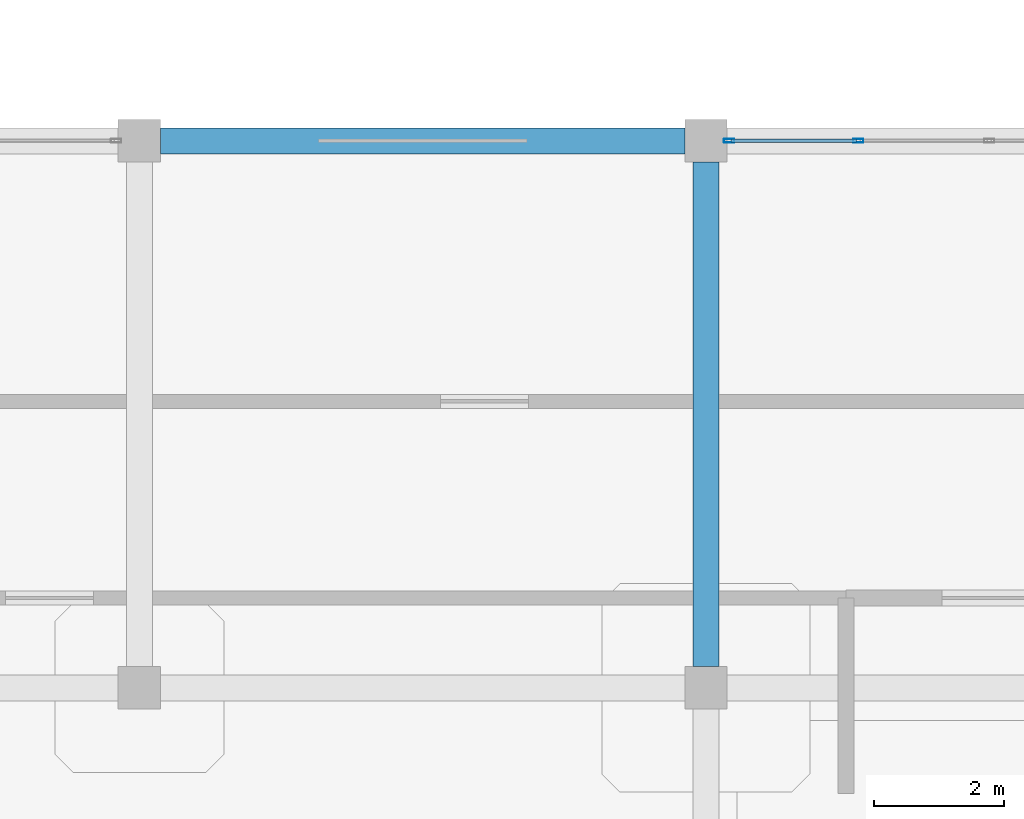
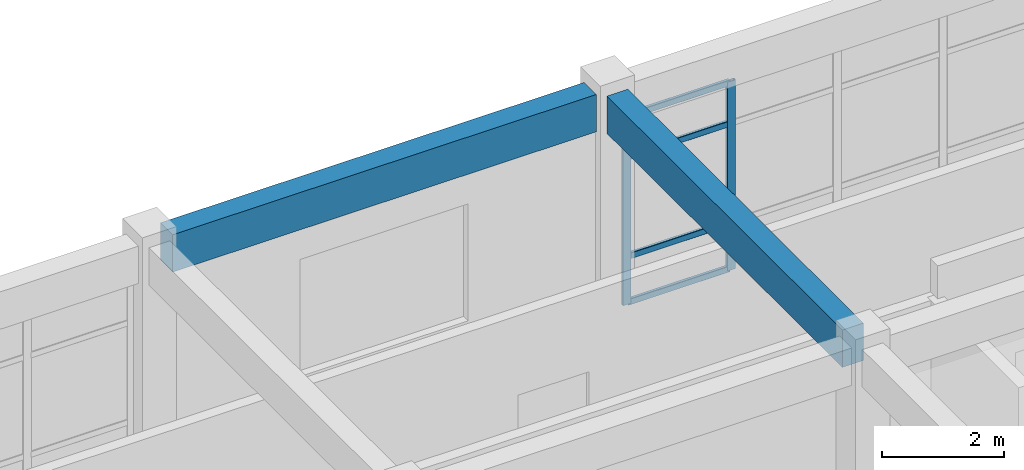
# One storey, part 10 of 41: 6 members, 2 beams, 1 element without a shape of its own.
"""IFC4 building model written with IfcOpenShell, lengths in metres."""

from ifc_helpers import new_model, si_unit, derived_unit, direction, frame, origin, origin_2d, place, context, subcontext, project, spatial, rectangle, hollow_rectangle, extrude, material, layer, layer_set, material_profile, profile_set, type_object, element, aggregate, save


model = new_model("IFC4")

# Units and contexts
model_context = context("Model", 3, precision=1e-05, world=origin(), true_north=direction((0.0, 1.0)))
body_context = subcontext(model_context, "Body", "Model", "MODEL_VIEW")
ifc_project = project(units=[si_unit("LENGTHUNIT", "METRE"), si_unit("AREAUNIT", "SQUARE_METRE"), si_unit("VOLUMEUNIT", "CUBIC_METRE"), si_unit("PLANEANGLEUNIT", "RADIAN"), si_unit("MASSUNIT", "GRAM", prefix="KILO"), derived_unit("THERMALTRANSMITTANCEUNIT", [(si_unit("MASSUNIT", "GRAM", prefix="KILO"), 1), (si_unit("TIMEUNIT", "SECOND"), -3), (si_unit("THERMODYNAMICTEMPERATUREUNIT", "KELVIN"), -1)])], contexts=[model_context])

# Site, building, storey
site_placement = place(None, origin())
site = spatial("IfcSite", under=ifc_project, at=site_placement, CompositionType="ELEMENT")
building_placement = place(site_placement, origin())
building = spatial("IfcBuilding", under=site, at=building_placement, Name="Qinzheling Arcade Emporium", CompositionType="ELEMENT")
storey_placement = place(building_placement, frame((0.0, 0.0, 36.300048828125)))
storey = spatial("IfcBuildingStorey", under=building, at=storey_placement, Name="L08", CompositionType="ELEMENT", Elevation=36.300048828125)

# Curtain wall, members
ifc_material_1 = material(Name="Anodised aluminium and solar-control double glazing", Category="aluminium")
ifc_layer = layer(ifc_material_1, 0.159912109375, Name="Anodised aluminium and solar-control double glazing", Category="aluminium")
ifc_layer_set = layer_set([ifc_layer], Name="Anodised aluminium and solar-control double glazing")
curtain_wall_type = type_object("IfcCurtainWallType", Name="Atrium Clerestory Curtain Wall", PredefinedType="NOTDEFINED", material=ifc_layer_set)
curtain_wall_placement = place(storey_placement, origin())
curtain_wall = element("IfcCurtainWall", 1, at=curtain_wall_placement, inside=storey, type_object=curtain_wall_type, Name="Curtain Wall CW-L08-463", PredefinedType="NOTDEFINED")
ifc_material_2 = material(Name="Anodised aluminium 6063-T6", Category="aluminium")
ifc_material_profile_1 = material_profile(ifc_material_2, hollow_rectangle(XDim=0.06005859375, YDim=0.159912109375, WallThickness=0.00390625, InnerFilletRadius=0.00390625, OuterFilletRadius=0.008056640625, at=origin_2d()), Name="RHS 160x60x4", Category="aluminium")
ifc_profile_set_1 = profile_set([ifc_material_profile_1], Name="Anodised aluminium 6063-T6")
member_type_1 = type_object("IfcMemberType", Name="Curtain Wall Mullion RHS160x60", PredefinedType="MULLION", material=ifc_profile_set_1)
member_1_placement = place(storey_placement, frame((26.45703125, 42.0, 0.0), z_axis=(0.0, 0.0, 1.0), x_axis=(0.0, 1.0, 0.0)))
member_1 = element("IfcMember", 2, at=member_1_placement, type_object=member_type_1, Name="CW03 mullion 1", PredefinedType="MULLION", context=body_context, shape_type="SweptSolid", body=[
    extrude(hollow_rectangle(XDim=0.06005859375, YDim=0.159912109375, WallThickness=0.00390625, InnerFilletRadius=0.00390625, OuterFilletRadius=0.008056640625, at=origin_2d()), origin(), (0.0, 0.0, 1.0), 3.794921875),
])
member_2_placement = place(storey_placement, frame((28.4384765625, 42.0, 0.0), z_axis=(0.0, 0.0, 1.0), x_axis=(0.0, 1.0, 0.0)))
member_2 = element("IfcMember", 3, at=member_2_placement, type_object=member_type_1, Name="CW03 mullion 2", PredefinedType="MULLION", context=body_context, shape_type="SweptSolid", body=[
    extrude(hollow_rectangle(XDim=0.06005859375, YDim=0.159912109375, WallThickness=0.00390625, InnerFilletRadius=0.00390625, OuterFilletRadius=0.008056640625, at=origin_2d()), origin(), (0.0, 0.0, 1.0), 3.794921875),
])
ifc_material_profile_2 = material_profile(ifc_material_2, hollow_rectangle(XDim=0.06005859375, YDim=0.1201171875, WallThickness=0.00390625, InnerFilletRadius=0.00390625, OuterFilletRadius=0.008056640625, at=origin_2d()), Name="RHS 120x60x4", Category="aluminium")
ifc_profile_set_2 = profile_set([ifc_material_profile_2], Name="Anodised aluminium 6063-T6")
member_type_2 = type_object("IfcMemberType", Name="Curtain Wall Transom RHS120x60", PredefinedType="USERDEFINED", material=ifc_profile_set_2)
member_3_placement = place(storey_placement, frame((26.487060546875, 42.0, 0.030029296875), z_axis=(1.0, 0.0, 0.0), x_axis=(0.0, 1.0, 0.0)))
member_3 = element("IfcMember", 4, at=member_3_placement, type_object=member_type_2, Name="CW03 transom 1.1", ObjectType="TRANSOM", PredefinedType="USERDEFINED", context=body_context, shape_type="SweptSolid", body=[
    extrude(hollow_rectangle(XDim=0.06005859375, YDim=0.1201171875, WallThickness=0.00390625, InnerFilletRadius=0.00390625, OuterFilletRadius=0.008056640625, at=origin_2d()), origin(), (0.0, 0.0, 1.0), 1.92138671875),
])
member_4_placement = place(storey_placement, frame((26.487060546875, 42.0, 0.949951171875), z_axis=(1.0, 0.0, 0.0), x_axis=(0.0, 1.0, 0.0)))
member_4 = element("IfcMember", 5, at=member_4_placement, type_object=member_type_2, Name="CW03 transom 1.2", ObjectType="TRANSOM", PredefinedType="USERDEFINED", context=body_context, shape_type="SweptSolid", body=[
    extrude(hollow_rectangle(XDim=0.06005859375, YDim=0.1201171875, WallThickness=0.00390625, InnerFilletRadius=0.00390625, OuterFilletRadius=0.008056640625, at=origin_2d()), origin(), (0.0, 0.0, 1.0), 1.92138671875),
])
member_5_placement = place(storey_placement, frame((26.487060546875, 42.0, 2.945068359375), z_axis=(1.0, 0.0, 0.0), x_axis=(0.0, 1.0, 0.0)))
member_5 = element("IfcMember", 6, at=member_5_placement, type_object=member_type_2, Name="CW03 transom 1.3", ObjectType="TRANSOM", PredefinedType="USERDEFINED", context=body_context, shape_type="SweptSolid", body=[
    extrude(hollow_rectangle(XDim=0.06005859375, YDim=0.1201171875, WallThickness=0.00390625, InnerFilletRadius=0.00390625, OuterFilletRadius=0.008056640625, at=origin_2d()), origin(), (0.0, 0.0, 1.0), 1.92138671875),
])
member_6_placement = place(storey_placement, frame((26.487060546875, 42.0, 3.764892578125), z_axis=(1.0, 0.0, 0.0), x_axis=(0.0, 1.0, 0.0)))
member_6 = element("IfcMember", 7, at=member_6_placement, type_object=member_type_2, Name="CW03 transom 1.4", ObjectType="TRANSOM", PredefinedType="USERDEFINED", context=body_context, shape_type="SweptSolid", body=[
    extrude(hollow_rectangle(XDim=0.06005859375, YDim=0.1201171875, WallThickness=0.00390625, InnerFilletRadius=0.00390625, OuterFilletRadius=0.008056640625, at=origin_2d()), origin(), (0.0, 0.0, 1.0), 1.92138671875),
])
aggregate(curtain_wall, [member_1, member_2, member_3, member_4, member_5, member_6])

# Beams
ifc_material_3 = material(Name="Concrete C40", Category="concrete")
ifc_material_profile_3 = material_profile(ifc_material_3, rectangle(XDim=0.39990234375, YDim=0.75, at=origin_2d()), Name="RC 400x750", Category="concrete")
ifc_profile_set_3 = profile_set([ifc_material_profile_3], Name="Concrete C40")
beam_type = type_object("IfcBeamType", Name="RC Interior Tie Beam 400x750 C40", PredefinedType="BEAM", material=ifc_profile_set_3)
beam_1_placement = place(storey_placement, frame((17.72509765625, 42.0, 4.18505859375), z_axis=(1.0, 0.0, 0.0), x_axis=(0.0, 1.0, 0.0)))
element("IfcBeam", 8, at=beam_1_placement, inside=storey, type_object=beam_type, Name="Beam BM-L08-X-F-3", PredefinedType="BEAM", context=body_context, shape_type="SweptSolid", body=[
    extrude(rectangle(XDim=0.39990234375, YDim=0.75, at=origin_2d()), origin(), (0.0, 0.0, 1.0), 8.0498046875),
])
beam_2_placement = place(storey_placement, frame((26.10009765625, 33.925048828125, 4.18505859375), z_axis=(0.0, 1.0, 0.0), x_axis=(-1.0, 0.0, 0.0)))
element("IfcBeam", 9, at=beam_2_placement, inside=storey, type_object=beam_type, Name="Beam BM-L08-Y-4-E", PredefinedType="BEAM", context=body_context, shape_type="SweptSolid", body=[
    extrude(rectangle(XDim=0.39990234375, YDim=0.75, at=origin_2d()), origin(), (0.0, 0.0, 1.0), 7.75),
])

save(model, "model.ifc")
